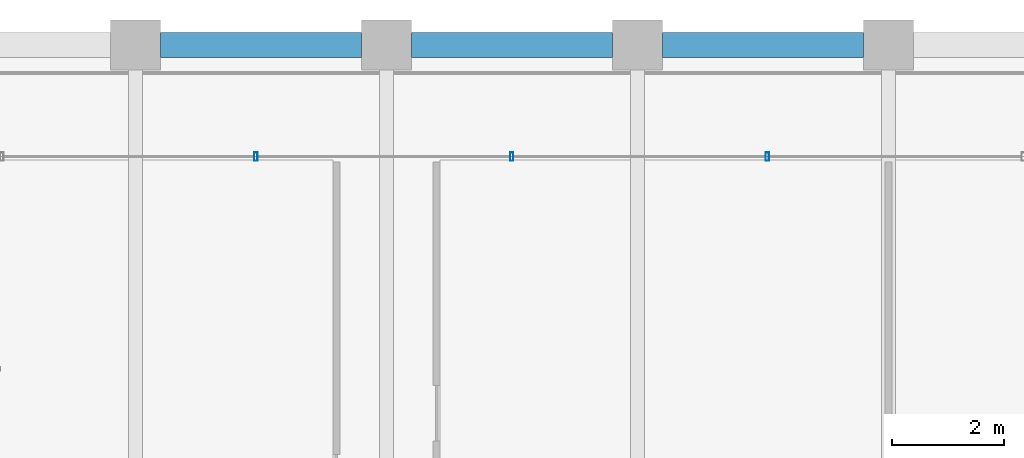
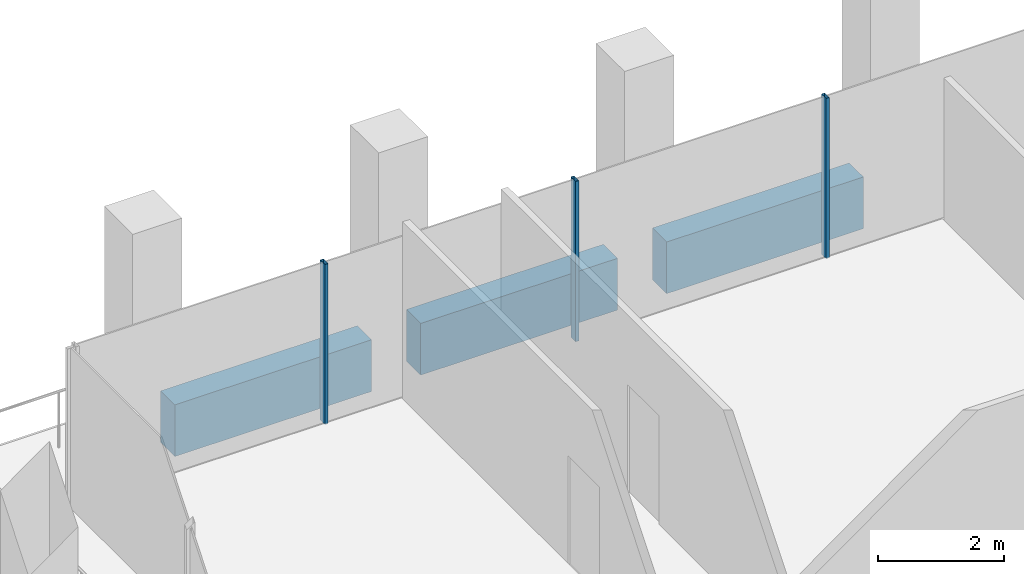
# One storey, part 23 of 40: 3 beams, 3 members, 1 element without a shape of its own.
"""IFC4 building model written with IfcOpenShell, lengths in metres."""

from ifc_helpers import new_model, si_unit, direction, frame, origin, origin_2d, place, context, subcontext, project, spatial, rectangle, hollow_rectangle, extrude, material, material_profile, profile_set, type_object, element, aggregate, save


model = new_model("IFC4")

# Units and contexts
model_context = context("Model", 3, precision=1e-05, world=origin(), true_north=direction((0.0, 1.0)))
body_context = subcontext(model_context, "Body", "Model", "MODEL_VIEW")
ifc_project = project(units=[si_unit("LENGTHUNIT", "METRE"), si_unit("AREAUNIT", "SQUARE_METRE"), si_unit("VOLUMEUNIT", "CUBIC_METRE"), si_unit("PLANEANGLEUNIT", "RADIAN"), si_unit("MASSUNIT", "GRAM", prefix="KILO")], contexts=[model_context])

# Site, building, storey
site_placement = place(None, origin())
site = spatial("IfcSite", under=ifc_project, at=site_placement, CompositionType="ELEMENT")
building_placement = place(site_placement, origin())
building = spatial("IfcBuilding", under=site, at=building_placement, Name="Altepetl Exchange Towers", CompositionType="ELEMENT")
storey_placement = place(building_placement, frame((0.0, 0.0, 151.0)))
storey = spatial("IfcBuildingStorey", under=building, at=storey_placement, Name="L37", CompositionType="ELEMENT", Elevation=151.0)

# Curtain wall, members
ifc_material_1 = material(Name="Aluminium 6063-T6 glazing", Category="aluminium")
curtain_wall_type = type_object("IfcCurtainWallType", Name="Loggia glazing system", PredefinedType="NOTDEFINED", material=ifc_material_1)
curtain_wall_placement = place(storey_placement, origin())
curtain_wall = element("IfcCurtainWall", 1, at=curtain_wall_placement, inside=storey, type_object=curtain_wall_type, Name="CW1 run", PredefinedType="NOTDEFINED")
ifc_material_2 = material(Name="Aluminium 6063-T6", Category="aluminium")
ifc_material_profile_1 = material_profile(ifc_material_2, hollow_rectangle(XDim=0.06005859375, YDim=0.14990234375, WallThickness=0.0029296875, at=origin_2d()), Name="Mullion 60x150 aluminium")
ifc_profile_set_1 = profile_set([ifc_material_profile_1], Name="Aluminium 6063-T6")
member_type = type_object("IfcMemberType", Name="Mullion 60x150 aluminium", PredefinedType="MULLION", material=ifc_profile_set_1)
member_1_placement = place(storey_placement, frame((56.330078125, 70.0, 0.0), z_axis=(0.0, 0.0, 1.0), x_axis=(-1.0, 0.0, 0.0)))
member_1 = element("IfcMember", 2, at=member_1_placement, type_object=member_type, Name="MU1 mullion", PredefinedType="MULLION", context=body_context, shape_type="SweptSolid", body=[
    extrude(hollow_rectangle(XDim=0.06005859375, YDim=0.14990234375, WallThickness=0.0029296875, at=origin_2d()), origin(), (0.0, 0.0, 1.0), 3.10009765625),
])
member_2_placement = place(storey_placement, frame((51.7451171875, 70.0, 0.0), z_axis=(0.0, 0.0, 1.0), x_axis=(-1.0, 0.0, 0.0)))
member_2 = element("IfcMember", 3, at=member_2_placement, type_object=member_type, Name="MU1 mullion", PredefinedType="MULLION", context=body_context, shape_type="SweptSolid", body=[
    extrude(hollow_rectangle(XDim=0.06005859375, YDim=0.14990234375, WallThickness=0.0029296875, at=origin_2d()), origin(), (0.0, 0.0, 1.0), 3.10009765625),
])
member_3_placement = place(storey_placement, frame((47.159912109375, 70.0, 0.0), z_axis=(0.0, 0.0, 1.0), x_axis=(-1.0, 0.0, 0.0)))
member_3 = element("IfcMember", 4, at=member_3_placement, type_object=member_type, Name="MU1 mullion", PredefinedType="MULLION", context=body_context, shape_type="SweptSolid", body=[
    extrude(hollow_rectangle(XDim=0.06005859375, YDim=0.14990234375, WallThickness=0.0029296875, at=origin_2d()), origin(), (0.0, 0.0, 1.0), 3.10009765625),
])
aggregate(curtain_wall, [member_1, member_2, member_3])

# Beams
ifc_material_3 = material(Name="Concrete C50/60 precast with cantera rosa facing", Category="concrete")
ifc_material_profile_2 = material_profile(ifc_material_3, rectangle(XDim=0.449951171875, YDim=1.0, at=origin_2d()), Name="450 x 1000")
ifc_profile_set_2 = profile_set([ifc_material_profile_2], Name="Concrete C50/60 precast with cantera rosa facing")
beam_type = type_object("IfcBeamType", Name="Spandrel beam 450x1000 cantera rosa", PredefinedType="SPANDREL", material=ifc_profile_set_2)
for number, where, z_axis, x_axis, name in (
    (5, (58.050048828125, 72.0, -0.64990234375), (-1.0, 0.0, 0.0), (0.0, -1.0, 0.0), "sp:A:L37:026"),
    (6, (53.550048828125, 72.0, -0.64990234375), (-1.0, 0.0, 0.0), (0.0, -1.0, 0.0), "sp:A:L37:027"),
    (7, (49.050048828125, 72.0, -0.64990234375), (-1.0, 0.0, 0.0), (0.0, -1.0, 0.0), "sp:A:L37:028"),
):
    element("IfcBeam", number, at=place(storey_placement, frame(where, z_axis=z_axis, x_axis=x_axis)), inside=storey, type_object=beam_type, Name=name, PredefinedType="SPANDREL", context=body_context, shape_type="SweptSolid", body=[
        extrude(rectangle(XDim=0.449951171875, YDim=1.0, at=origin_2d()), origin(), (0.0, 0.0, 1.0), 3.60009765625),
    ])

save(model, "model.ifc")
